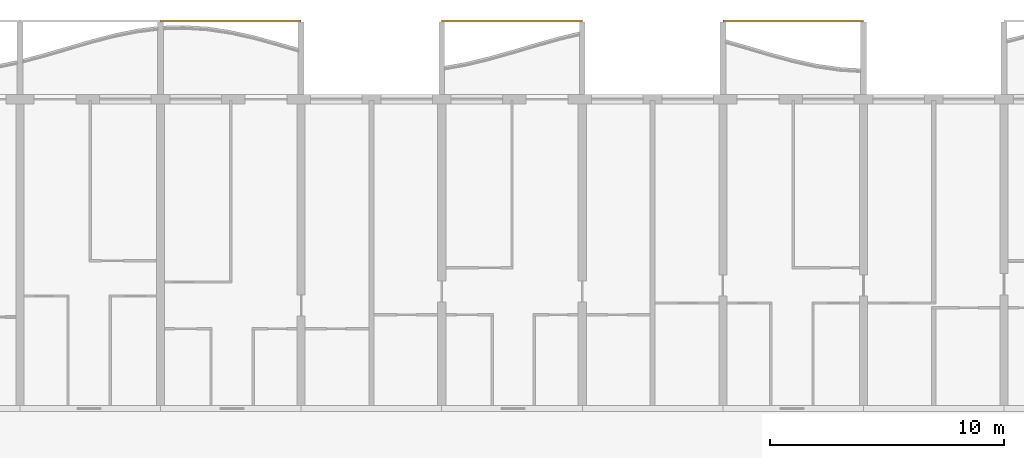
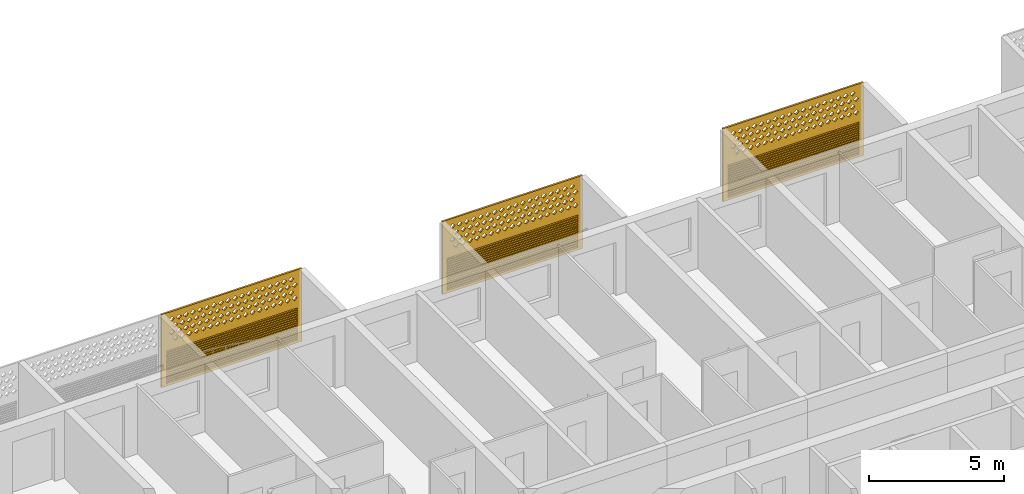
# One storey, part 22 of 25: 3 coverings.
"""IFC4 building model written with IfcOpenShell, lengths in metres."""

from ifc_helpers import new_model, si_unit, direction, frame, origin, place, context, subcontext, project, spatial, polyline, outline, extrude, source, transform, mapped, material, material_profile, profile_set, type_object, element, save


model = new_model("IFC4")

# Units and contexts
model_context = context("Model", 3, precision=1e-05, world=origin(), true_north=direction((0.0, 1.0)))
body_context = subcontext(model_context, "Body", "Model", "MODEL_VIEW")
ifc_project = project(units=[si_unit("LENGTHUNIT", "METRE"), si_unit("AREAUNIT", "SQUARE_METRE"), si_unit("VOLUMEUNIT", "CUBIC_METRE"), si_unit("PLANEANGLEUNIT", "RADIAN"), si_unit("MASSUNIT", "GRAM", prefix="KILO")], contexts=[model_context])

# Site, building, storey
site_placement = place(None, origin())
site = spatial("IfcSite", under=ifc_project, at=site_placement, CompositionType="ELEMENT")
building_placement = place(site_placement, origin())
building = spatial("IfcBuilding", under=site, at=building_placement, Name="Poui Terraces", CompositionType="ELEMENT")
storey_placement = place(building_placement, frame((0.0, 0.0, 89.39990234375)))
storey = spatial("IfcBuildingStorey", under=building, at=storey_placement, Name="L24", CompositionType="ELEMENT", Elevation=89.39990234375)

# Coverings
ifc_material = material(Name="Terracotta screen", Category="masonry")
ifc_material_profile = material_profile(ifc_material, outline(polyline([(-3.0, -1.64990234375), (3.0, -1.64990234375), (3.0, 1.64990234375), (-3.0, 1.64990234375), (-3.0, -1.64990234375)]), holes=[polyline([(-2.800048828125, 0.39990234375), (-2.68994140625, 0.2900390625), (-2.580078125, 0.39990234375), (-2.68994140625, 0.510009765625), (-2.800048828125, 0.39990234375)]), polyline([(-2.5, 0.39990234375), (-2.389892578125, 0.2900390625), (-2.280029296875, 0.39990234375), (-2.389892578125, 0.510009765625), (-2.5, 0.39990234375)]), polyline([(-2.199951171875, 0.39990234375), (-2.090087890625, 0.2900390625), (-1.97998046875, 0.39990234375), (-2.090087890625, 0.510009765625), (-2.199951171875, 0.39990234375)]), polyline([(-1.89990234375, 0.39990234375), (-1.7900390625, 0.2900390625), (-1.679931640625, 0.39990234375), (-1.7900390625, 0.510009765625), (-1.89990234375, 0.39990234375)]), polyline([(-1.60009765625, 0.39990234375), (-1.489990234375, 0.2900390625), (-1.3798828125, 0.39990234375), (-1.489990234375, 0.510009765625), (-1.60009765625, 0.39990234375)]), polyline([(-1.300048828125, 0.39990234375), (-1.18994140625, 0.2900390625), (-1.080078125, 0.39990234375), (-1.18994140625, 0.510009765625), (-1.300048828125, 0.39990234375)]), polyline([(-1.0, 0.39990234375), (-0.889892578125, 0.2900390625), (-0.780029296875, 0.39990234375), (-0.889892578125, 0.510009765625), (-1.0, 0.39990234375)]), polyline([(-0.699951171875, 0.39990234375), (-0.590087890625, 0.2900390625), (-0.47998046875, 0.39990234375), (-0.590087890625, 0.510009765625), (-0.699951171875, 0.39990234375)]), polyline([(-0.39990234375, 0.39990234375), (-0.2900390625, 0.2900390625), (-0.179931640625, 0.39990234375), (-0.2900390625, 0.510009765625), (-0.39990234375, 0.39990234375)]), polyline([(-0.10009765625, 0.39990234375), (0.010009765625, 0.2900390625), (0.1201171875, 0.39990234375), (0.010009765625, 0.510009765625), (-0.10009765625, 0.39990234375)]), polyline([(0.199951171875, 0.39990234375), (0.31005859375, 0.2900390625), (0.419921875, 0.39990234375), (0.31005859375, 0.510009765625), (0.199951171875, 0.39990234375)]), polyline([(0.5, 0.39990234375), (0.610107421875, 0.2900390625), (0.719970703125, 0.39990234375), (0.610107421875, 0.510009765625), (0.5, 0.39990234375)]), polyline([(0.800048828125, 0.39990234375), (0.909912109375, 0.2900390625), (1.02001953125, 0.39990234375), (0.909912109375, 0.510009765625), (0.800048828125, 0.39990234375)]), polyline([(1.10009765625, 0.39990234375), (1.2099609375, 0.2900390625), (1.320068359375, 0.39990234375), (1.2099609375, 0.510009765625), (1.10009765625, 0.39990234375)]), polyline([(1.39990234375, 0.39990234375), (1.510009765625, 0.2900390625), (1.6201171875, 0.39990234375), (1.510009765625, 0.510009765625), (1.39990234375, 0.39990234375)]), polyline([(1.699951171875, 0.39990234375), (1.81005859375, 0.2900390625), (1.919921875, 0.39990234375), (1.81005859375, 0.510009765625), (1.699951171875, 0.39990234375)]), polyline([(2.0, 0.39990234375), (2.110107421875, 0.2900390625), (2.219970703125, 0.39990234375), (2.110107421875, 0.510009765625), (2.0, 0.39990234375)]), polyline([(2.300048828125, 0.39990234375), (2.409912109375, 0.2900390625), (2.52001953125, 0.39990234375), (2.409912109375, 0.510009765625), (2.300048828125, 0.39990234375)]), polyline([(-2.64990234375, 0.699951171875), (-2.5400390625, 0.590087890625), (-2.429931640625, 0.699951171875), (-2.5400390625, 0.81005859375), (-2.64990234375, 0.699951171875)]), polyline([(-2.35009765625, 0.699951171875), (-2.239990234375, 0.590087890625), (-2.1298828125, 0.699951171875), (-2.239990234375, 0.81005859375), (-2.35009765625, 0.699951171875)]), polyline([(-2.050048828125, 0.699951171875), (-1.93994140625, 0.590087890625), (-1.830078125, 0.699951171875), (-1.93994140625, 0.81005859375), (-2.050048828125, 0.699951171875)]), polyline([(-1.75, 0.699951171875), (-1.639892578125, 0.590087890625), (-1.530029296875, 0.699951171875), (-1.639892578125, 0.81005859375), (-1.75, 0.699951171875)]), polyline([(-1.449951171875, 0.699951171875), (-1.340087890625, 0.590087890625), (-1.22998046875, 0.699951171875), (-1.340087890625, 0.81005859375), (-1.449951171875, 0.699951171875)]), polyline([(-1.14990234375, 0.699951171875), (-1.0400390625, 0.590087890625), (-0.929931640625, 0.699951171875), (-1.0400390625, 0.81005859375), (-1.14990234375, 0.699951171875)]), polyline([(-0.85009765625, 0.699951171875), (-0.739990234375, 0.590087890625), (-0.6298828125, 0.699951171875), (-0.739990234375, 0.81005859375), (-0.85009765625, 0.699951171875)]), polyline([(-0.550048828125, 0.699951171875), (-0.43994140625, 0.590087890625), (-0.330078125, 0.699951171875), (-0.43994140625, 0.81005859375), (-0.550048828125, 0.699951171875)]), polyline([(-0.25, 0.699951171875), (-0.139892578125, 0.590087890625), (-0.030029296875, 0.699951171875), (-0.139892578125, 0.81005859375), (-0.25, 0.699951171875)]), polyline([(0.050048828125, 0.699951171875), (0.159912109375, 0.590087890625), (0.27001953125, 0.699951171875), (0.159912109375, 0.81005859375), (0.050048828125, 0.699951171875)]), polyline([(0.35009765625, 0.699951171875), (0.4599609375, 0.590087890625), (0.570068359375, 0.699951171875), (0.4599609375, 0.81005859375), (0.35009765625, 0.699951171875)]), polyline([(0.64990234375, 0.699951171875), (0.760009765625, 0.590087890625), (0.8701171875, 0.699951171875), (0.760009765625, 0.81005859375), (0.64990234375, 0.699951171875)]), polyline([(0.949951171875, 0.699951171875), (1.06005859375, 0.590087890625), (1.169921875, 0.699951171875), (1.06005859375, 0.81005859375), (0.949951171875, 0.699951171875)]), polyline([(1.25, 0.699951171875), (1.360107421875, 0.590087890625), (1.469970703125, 0.699951171875), (1.360107421875, 0.81005859375), (1.25, 0.699951171875)]), polyline([(1.550048828125, 0.699951171875), (1.659912109375, 0.590087890625), (1.77001953125, 0.699951171875), (1.659912109375, 0.81005859375), (1.550048828125, 0.699951171875)]), polyline([(1.85009765625, 0.699951171875), (1.9599609375, 0.590087890625), (2.070068359375, 0.699951171875), (1.9599609375, 0.81005859375), (1.85009765625, 0.699951171875)]), polyline([(2.14990234375, 0.699951171875), (2.260009765625, 0.590087890625), (2.3701171875, 0.699951171875), (2.260009765625, 0.81005859375), (2.14990234375, 0.699951171875)]), polyline([(2.449951171875, 0.699951171875), (2.56005859375, 0.590087890625), (2.669921875, 0.699951171875), (2.56005859375, 0.81005859375), (2.449951171875, 0.699951171875)]), polyline([(-2.800048828125, 1.0), (-2.68994140625, 0.889892578125), (-2.580078125, 1.0), (-2.68994140625, 1.110107421875), (-2.800048828125, 1.0)]), polyline([(-2.5, 1.0), (-2.389892578125, 0.889892578125), (-2.280029296875, 1.0), (-2.389892578125, 1.110107421875), (-2.5, 1.0)]), polyline([(-2.199951171875, 1.0), (-2.090087890625, 0.889892578125), (-1.97998046875, 1.0), (-2.090087890625, 1.110107421875), (-2.199951171875, 1.0)]), polyline([(-1.89990234375, 1.0), (-1.7900390625, 0.889892578125), (-1.679931640625, 1.0), (-1.7900390625, 1.110107421875), (-1.89990234375, 1.0)]), polyline([(-1.60009765625, 1.0), (-1.489990234375, 0.889892578125), (-1.3798828125, 1.0), (-1.489990234375, 1.110107421875), (-1.60009765625, 1.0)]), polyline([(-1.300048828125, 1.0), (-1.18994140625, 0.889892578125), (-1.080078125, 1.0), (-1.18994140625, 1.110107421875), (-1.300048828125, 1.0)]), polyline([(-1.0, 1.0), (-0.889892578125, 0.889892578125), (-0.780029296875, 1.0), (-0.889892578125, 1.110107421875), (-1.0, 1.0)]), polyline([(-0.699951171875, 1.0), (-0.590087890625, 0.889892578125), (-0.47998046875, 1.0), (-0.590087890625, 1.110107421875), (-0.699951171875, 1.0)]), polyline([(-0.39990234375, 1.0), (-0.2900390625, 0.889892578125), (-0.179931640625, 1.0), (-0.2900390625, 1.110107421875), (-0.39990234375, 1.0)]), polyline([(-0.10009765625, 1.0), (0.010009765625, 0.889892578125), (0.1201171875, 1.0), (0.010009765625, 1.110107421875), (-0.10009765625, 1.0)]), polyline([(0.199951171875, 1.0), (0.31005859375, 0.889892578125), (0.419921875, 1.0), (0.31005859375, 1.110107421875), (0.199951171875, 1.0)]), polyline([(0.5, 1.0), (0.610107421875, 0.889892578125), (0.719970703125, 1.0), (0.610107421875, 1.110107421875), (0.5, 1.0)]), polyline([(0.800048828125, 1.0), (0.909912109375, 0.889892578125), (1.02001953125, 1.0), (0.909912109375, 1.110107421875), (0.800048828125, 1.0)]), polyline([(1.10009765625, 1.0), (1.2099609375, 0.889892578125), (1.320068359375, 1.0), (1.2099609375, 1.110107421875), (1.10009765625, 1.0)]), polyline([(1.39990234375, 1.0), (1.510009765625, 0.889892578125), (1.6201171875, 1.0), (1.510009765625, 1.110107421875), (1.39990234375, 1.0)]), polyline([(1.699951171875, 1.0), (1.81005859375, 0.889892578125), (1.919921875, 1.0), (1.81005859375, 1.110107421875), (1.699951171875, 1.0)]), polyline([(2.0, 1.0), (2.110107421875, 0.889892578125), (2.219970703125, 1.0), (2.110107421875, 1.110107421875), (2.0, 1.0)]), polyline([(2.300048828125, 1.0), (2.409912109375, 0.889892578125), (2.52001953125, 1.0), (2.409912109375, 1.110107421875), (2.300048828125, 1.0)]), polyline([(-2.64990234375, 1.300048828125), (-2.5400390625, 1.18994140625), (-2.429931640625, 1.300048828125), (-2.5400390625, 1.409912109375), (-2.64990234375, 1.300048828125)]), polyline([(-2.35009765625, 1.300048828125), (-2.239990234375, 1.18994140625), (-2.1298828125, 1.300048828125), (-2.239990234375, 1.409912109375), (-2.35009765625, 1.300048828125)]), polyline([(-2.050048828125, 1.300048828125), (-1.93994140625, 1.18994140625), (-1.830078125, 1.300048828125), (-1.93994140625, 1.409912109375), (-2.050048828125, 1.300048828125)]), polyline([(-1.75, 1.300048828125), (-1.639892578125, 1.18994140625), (-1.530029296875, 1.300048828125), (-1.639892578125, 1.409912109375), (-1.75, 1.300048828125)]), polyline([(-1.449951171875, 1.300048828125), (-1.340087890625, 1.18994140625), (-1.22998046875, 1.300048828125), (-1.340087890625, 1.409912109375), (-1.449951171875, 1.300048828125)]), polyline([(-1.14990234375, 1.300048828125), (-1.0400390625, 1.18994140625), (-0.929931640625, 1.300048828125), (-1.0400390625, 1.409912109375), (-1.14990234375, 1.300048828125)]), polyline([(-0.85009765625, 1.300048828125), (-0.739990234375, 1.18994140625), (-0.6298828125, 1.300048828125), (-0.739990234375, 1.409912109375), (-0.85009765625, 1.300048828125)]), polyline([(-0.550048828125, 1.300048828125), (-0.43994140625, 1.18994140625), (-0.330078125, 1.300048828125), (-0.43994140625, 1.409912109375), (-0.550048828125, 1.300048828125)]), polyline([(-0.25, 1.300048828125), (-0.139892578125, 1.18994140625), (-0.030029296875, 1.300048828125), (-0.139892578125, 1.409912109375), (-0.25, 1.300048828125)]), polyline([(0.050048828125, 1.300048828125), (0.159912109375, 1.18994140625), (0.27001953125, 1.300048828125), (0.159912109375, 1.409912109375), (0.050048828125, 1.300048828125)]), polyline([(0.35009765625, 1.300048828125), (0.4599609375, 1.18994140625), (0.570068359375, 1.300048828125), (0.4599609375, 1.409912109375), (0.35009765625, 1.300048828125)]), polyline([(0.64990234375, 1.300048828125), (0.760009765625, 1.18994140625), (0.8701171875, 1.300048828125), (0.760009765625, 1.409912109375), (0.64990234375, 1.300048828125)]), polyline([(0.949951171875, 1.300048828125), (1.06005859375, 1.18994140625), (1.169921875, 1.300048828125), (1.06005859375, 1.409912109375), (0.949951171875, 1.300048828125)]), polyline([(1.25, 1.300048828125), (1.360107421875, 1.18994140625), (1.469970703125, 1.300048828125), (1.360107421875, 1.409912109375), (1.25, 1.300048828125)]), polyline([(1.550048828125, 1.300048828125), (1.659912109375, 1.18994140625), (1.77001953125, 1.300048828125), (1.659912109375, 1.409912109375), (1.550048828125, 1.300048828125)]), polyline([(1.85009765625, 1.300048828125), (1.9599609375, 1.18994140625), (2.070068359375, 1.300048828125), (1.9599609375, 1.409912109375), (1.85009765625, 1.300048828125)]), polyline([(2.14990234375, 1.300048828125), (2.260009765625, 1.18994140625), (2.3701171875, 1.300048828125), (2.260009765625, 1.409912109375), (2.14990234375, 1.300048828125)]), polyline([(2.449951171875, 1.300048828125), (2.56005859375, 1.18994140625), (2.669921875, 1.300048828125), (2.56005859375, 1.409912109375), (2.449951171875, 1.300048828125)]), polyline([(-2.800048828125, -1.530029296875), (2.800048828125, -1.530029296875), (2.800048828125, -1.469970703125), (-2.800048828125, -1.469970703125), (-2.800048828125, -1.530029296875)]), polyline([(-2.800048828125, -1.429931640625), (2.800048828125, -1.429931640625), (2.800048828125, -1.3701171875), (-2.800048828125, -1.3701171875), (-2.800048828125, -1.429931640625)]), polyline([(-2.800048828125, -1.330078125), (2.800048828125, -1.330078125), (2.800048828125, -1.27001953125), (-2.800048828125, -1.27001953125), (-2.800048828125, -1.330078125)]), polyline([(-2.800048828125, -1.22998046875), (2.800048828125, -1.22998046875), (2.800048828125, -1.169921875), (-2.800048828125, -1.169921875), (-2.800048828125, -1.22998046875)]), polyline([(-2.800048828125, -1.1298828125), (2.800048828125, -1.1298828125), (2.800048828125, -1.070068359375), (-2.800048828125, -1.070068359375), (-2.800048828125, -1.1298828125)]), polyline([(-2.800048828125, -1.030029296875), (2.800048828125, -1.030029296875), (2.800048828125, -0.969970703125), (-2.800048828125, -0.969970703125), (-2.800048828125, -1.030029296875)]), polyline([(-2.800048828125, -0.929931640625), (2.800048828125, -0.929931640625), (2.800048828125, -0.8701171875), (-2.800048828125, -0.8701171875), (-2.800048828125, -0.929931640625)]), polyline([(-2.800048828125, -0.830078125), (2.800048828125, -0.830078125), (2.800048828125, -0.77001953125), (-2.800048828125, -0.77001953125), (-2.800048828125, -0.830078125)]), polyline([(-2.800048828125, -0.72998046875), (2.800048828125, -0.72998046875), (2.800048828125, -0.669921875), (-2.800048828125, -0.669921875), (-2.800048828125, -0.72998046875)]), polyline([(-2.800048828125, -0.6298828125), (2.800048828125, -0.6298828125), (2.800048828125, -0.570068359375), (-2.800048828125, -0.570068359375), (-2.800048828125, -0.6298828125)]), polyline([(-2.800048828125, -0.530029296875), (2.800048828125, -0.530029296875), (2.800048828125, -0.469970703125), (-2.800048828125, -0.469970703125), (-2.800048828125, -0.530029296875)]), polyline([(-2.800048828125, -0.429931640625), (2.800048828125, -0.429931640625), (2.800048828125, -0.3701171875), (-2.800048828125, -0.3701171875), (-2.800048828125, -0.429931640625)]), polyline([(-2.800048828125, -0.330078125), (2.800048828125, -0.330078125), (2.800048828125, -0.27001953125), (-2.800048828125, -0.27001953125), (-2.800048828125, -0.330078125)]), polyline([(-2.800048828125, -0.22998046875), (2.800048828125, -0.22998046875), (2.800048828125, -0.169921875), (-2.800048828125, -0.169921875), (-2.800048828125, -0.22998046875)]), polyline([(-2.800048828125, -0.1298828125), (2.800048828125, -0.1298828125), (2.800048828125, -0.070068359375), (-2.800048828125, -0.070068359375), (-2.800048828125, -0.1298828125)])]), Name="TERRACOTTA SCREEN AND JALOUSIE LOUVRE 6000X3300")
ifc_profile_set = profile_set([ifc_material_profile], Name="Terracotta screen")
covering_type = type_object("IfcCoveringType", Name="TERRACOTTA SCREEN AND JALOUSIE LOUVRE 6000X3300", PredefinedType="CLADDING", material=ifc_profile_set)
shared_shape = source(origin(), body_context, "Body", "SweptSolid", [
    extrude(outline(polyline([(-3.0, -1.64990234375), (3.0, -1.64990234375), (3.0, 1.64990234375), (-3.0, 1.64990234375), (-3.0, -1.64990234375)]), holes=[polyline([(-2.800048828125, 0.39990234375), (-2.68994140625, 0.2900390625), (-2.580078125, 0.39990234375), (-2.68994140625, 0.510009765625), (-2.800048828125, 0.39990234375)]), polyline([(-2.5, 0.39990234375), (-2.389892578125, 0.2900390625), (-2.280029296875, 0.39990234375), (-2.389892578125, 0.510009765625), (-2.5, 0.39990234375)]), polyline([(-2.199951171875, 0.39990234375), (-2.090087890625, 0.2900390625), (-1.97998046875, 0.39990234375), (-2.090087890625, 0.510009765625), (-2.199951171875, 0.39990234375)]), polyline([(-1.89990234375, 0.39990234375), (-1.7900390625, 0.2900390625), (-1.679931640625, 0.39990234375), (-1.7900390625, 0.510009765625), (-1.89990234375, 0.39990234375)]), polyline([(-1.60009765625, 0.39990234375), (-1.489990234375, 0.2900390625), (-1.3798828125, 0.39990234375), (-1.489990234375, 0.510009765625), (-1.60009765625, 0.39990234375)]), polyline([(-1.300048828125, 0.39990234375), (-1.18994140625, 0.2900390625), (-1.080078125, 0.39990234375), (-1.18994140625, 0.510009765625), (-1.300048828125, 0.39990234375)]), polyline([(-1.0, 0.39990234375), (-0.889892578125, 0.2900390625), (-0.780029296875, 0.39990234375), (-0.889892578125, 0.510009765625), (-1.0, 0.39990234375)]), polyline([(-0.699951171875, 0.39990234375), (-0.590087890625, 0.2900390625), (-0.47998046875, 0.39990234375), (-0.590087890625, 0.510009765625), (-0.699951171875, 0.39990234375)]), polyline([(-0.39990234375, 0.39990234375), (-0.2900390625, 0.2900390625), (-0.179931640625, 0.39990234375), (-0.2900390625, 0.510009765625), (-0.39990234375, 0.39990234375)]), polyline([(-0.10009765625, 0.39990234375), (0.010009765625, 0.2900390625), (0.1201171875, 0.39990234375), (0.010009765625, 0.510009765625), (-0.10009765625, 0.39990234375)]), polyline([(0.199951171875, 0.39990234375), (0.31005859375, 0.2900390625), (0.419921875, 0.39990234375), (0.31005859375, 0.510009765625), (0.199951171875, 0.39990234375)]), polyline([(0.5, 0.39990234375), (0.610107421875, 0.2900390625), (0.719970703125, 0.39990234375), (0.610107421875, 0.510009765625), (0.5, 0.39990234375)]), polyline([(0.800048828125, 0.39990234375), (0.909912109375, 0.2900390625), (1.02001953125, 0.39990234375), (0.909912109375, 0.510009765625), (0.800048828125, 0.39990234375)]), polyline([(1.10009765625, 0.39990234375), (1.2099609375, 0.2900390625), (1.320068359375, 0.39990234375), (1.2099609375, 0.510009765625), (1.10009765625, 0.39990234375)]), polyline([(1.39990234375, 0.39990234375), (1.510009765625, 0.2900390625), (1.6201171875, 0.39990234375), (1.510009765625, 0.510009765625), (1.39990234375, 0.39990234375)]), polyline([(1.699951171875, 0.39990234375), (1.81005859375, 0.2900390625), (1.919921875, 0.39990234375), (1.81005859375, 0.510009765625), (1.699951171875, 0.39990234375)]), polyline([(2.0, 0.39990234375), (2.110107421875, 0.2900390625), (2.219970703125, 0.39990234375), (2.110107421875, 0.510009765625), (2.0, 0.39990234375)]), polyline([(2.300048828125, 0.39990234375), (2.409912109375, 0.2900390625), (2.52001953125, 0.39990234375), (2.409912109375, 0.510009765625), (2.300048828125, 0.39990234375)]), polyline([(-2.64990234375, 0.699951171875), (-2.5400390625, 0.590087890625), (-2.429931640625, 0.699951171875), (-2.5400390625, 0.81005859375), (-2.64990234375, 0.699951171875)]), polyline([(-2.35009765625, 0.699951171875), (-2.239990234375, 0.590087890625), (-2.1298828125, 0.699951171875), (-2.239990234375, 0.81005859375), (-2.35009765625, 0.699951171875)]), polyline([(-2.050048828125, 0.699951171875), (-1.93994140625, 0.590087890625), (-1.830078125, 0.699951171875), (-1.93994140625, 0.81005859375), (-2.050048828125, 0.699951171875)]), polyline([(-1.75, 0.699951171875), (-1.639892578125, 0.590087890625), (-1.530029296875, 0.699951171875), (-1.639892578125, 0.81005859375), (-1.75, 0.699951171875)]), polyline([(-1.449951171875, 0.699951171875), (-1.340087890625, 0.590087890625), (-1.22998046875, 0.699951171875), (-1.340087890625, 0.81005859375), (-1.449951171875, 0.699951171875)]), polyline([(-1.14990234375, 0.699951171875), (-1.0400390625, 0.590087890625), (-0.929931640625, 0.699951171875), (-1.0400390625, 0.81005859375), (-1.14990234375, 0.699951171875)]), polyline([(-0.85009765625, 0.699951171875), (-0.739990234375, 0.590087890625), (-0.6298828125, 0.699951171875), (-0.739990234375, 0.81005859375), (-0.85009765625, 0.699951171875)]), polyline([(-0.550048828125, 0.699951171875), (-0.43994140625, 0.590087890625), (-0.330078125, 0.699951171875), (-0.43994140625, 0.81005859375), (-0.550048828125, 0.699951171875)]), polyline([(-0.25, 0.699951171875), (-0.139892578125, 0.590087890625), (-0.030029296875, 0.699951171875), (-0.139892578125, 0.81005859375), (-0.25, 0.699951171875)]), polyline([(0.050048828125, 0.699951171875), (0.159912109375, 0.590087890625), (0.27001953125, 0.699951171875), (0.159912109375, 0.81005859375), (0.050048828125, 0.699951171875)]), polyline([(0.35009765625, 0.699951171875), (0.4599609375, 0.590087890625), (0.570068359375, 0.699951171875), (0.4599609375, 0.81005859375), (0.35009765625, 0.699951171875)]), polyline([(0.64990234375, 0.699951171875), (0.760009765625, 0.590087890625), (0.8701171875, 0.699951171875), (0.760009765625, 0.81005859375), (0.64990234375, 0.699951171875)]), polyline([(0.949951171875, 0.699951171875), (1.06005859375, 0.590087890625), (1.169921875, 0.699951171875), (1.06005859375, 0.81005859375), (0.949951171875, 0.699951171875)]), polyline([(1.25, 0.699951171875), (1.360107421875, 0.590087890625), (1.469970703125, 0.699951171875), (1.360107421875, 0.81005859375), (1.25, 0.699951171875)]), polyline([(1.550048828125, 0.699951171875), (1.659912109375, 0.590087890625), (1.77001953125, 0.699951171875), (1.659912109375, 0.81005859375), (1.550048828125, 0.699951171875)]), polyline([(1.85009765625, 0.699951171875), (1.9599609375, 0.590087890625), (2.070068359375, 0.699951171875), (1.9599609375, 0.81005859375), (1.85009765625, 0.699951171875)]), polyline([(2.14990234375, 0.699951171875), (2.260009765625, 0.590087890625), (2.3701171875, 0.699951171875), (2.260009765625, 0.81005859375), (2.14990234375, 0.699951171875)]), polyline([(2.449951171875, 0.699951171875), (2.56005859375, 0.590087890625), (2.669921875, 0.699951171875), (2.56005859375, 0.81005859375), (2.449951171875, 0.699951171875)]), polyline([(-2.800048828125, 1.0), (-2.68994140625, 0.889892578125), (-2.580078125, 1.0), (-2.68994140625, 1.110107421875), (-2.800048828125, 1.0)]), polyline([(-2.5, 1.0), (-2.389892578125, 0.889892578125), (-2.280029296875, 1.0), (-2.389892578125, 1.110107421875), (-2.5, 1.0)]), polyline([(-2.199951171875, 1.0), (-2.090087890625, 0.889892578125), (-1.97998046875, 1.0), (-2.090087890625, 1.110107421875), (-2.199951171875, 1.0)]), polyline([(-1.89990234375, 1.0), (-1.7900390625, 0.889892578125), (-1.679931640625, 1.0), (-1.7900390625, 1.110107421875), (-1.89990234375, 1.0)]), polyline([(-1.60009765625, 1.0), (-1.489990234375, 0.889892578125), (-1.3798828125, 1.0), (-1.489990234375, 1.110107421875), (-1.60009765625, 1.0)]), polyline([(-1.300048828125, 1.0), (-1.18994140625, 0.889892578125), (-1.080078125, 1.0), (-1.18994140625, 1.110107421875), (-1.300048828125, 1.0)]), polyline([(-1.0, 1.0), (-0.889892578125, 0.889892578125), (-0.780029296875, 1.0), (-0.889892578125, 1.110107421875), (-1.0, 1.0)]), polyline([(-0.699951171875, 1.0), (-0.590087890625, 0.889892578125), (-0.47998046875, 1.0), (-0.590087890625, 1.110107421875), (-0.699951171875, 1.0)]), polyline([(-0.39990234375, 1.0), (-0.2900390625, 0.889892578125), (-0.179931640625, 1.0), (-0.2900390625, 1.110107421875), (-0.39990234375, 1.0)]), polyline([(-0.10009765625, 1.0), (0.010009765625, 0.889892578125), (0.1201171875, 1.0), (0.010009765625, 1.110107421875), (-0.10009765625, 1.0)]), polyline([(0.199951171875, 1.0), (0.31005859375, 0.889892578125), (0.419921875, 1.0), (0.31005859375, 1.110107421875), (0.199951171875, 1.0)]), polyline([(0.5, 1.0), (0.610107421875, 0.889892578125), (0.719970703125, 1.0), (0.610107421875, 1.110107421875), (0.5, 1.0)]), polyline([(0.800048828125, 1.0), (0.909912109375, 0.889892578125), (1.02001953125, 1.0), (0.909912109375, 1.110107421875), (0.800048828125, 1.0)]), polyline([(1.10009765625, 1.0), (1.2099609375, 0.889892578125), (1.320068359375, 1.0), (1.2099609375, 1.110107421875), (1.10009765625, 1.0)]), polyline([(1.39990234375, 1.0), (1.510009765625, 0.889892578125), (1.6201171875, 1.0), (1.510009765625, 1.110107421875), (1.39990234375, 1.0)]), polyline([(1.699951171875, 1.0), (1.81005859375, 0.889892578125), (1.919921875, 1.0), (1.81005859375, 1.110107421875), (1.699951171875, 1.0)]), polyline([(2.0, 1.0), (2.110107421875, 0.889892578125), (2.219970703125, 1.0), (2.110107421875, 1.110107421875), (2.0, 1.0)]), polyline([(2.300048828125, 1.0), (2.409912109375, 0.889892578125), (2.52001953125, 1.0), (2.409912109375, 1.110107421875), (2.300048828125, 1.0)]), polyline([(-2.64990234375, 1.300048828125), (-2.5400390625, 1.18994140625), (-2.429931640625, 1.300048828125), (-2.5400390625, 1.409912109375), (-2.64990234375, 1.300048828125)]), polyline([(-2.35009765625, 1.300048828125), (-2.239990234375, 1.18994140625), (-2.1298828125, 1.300048828125), (-2.239990234375, 1.409912109375), (-2.35009765625, 1.300048828125)]), polyline([(-2.050048828125, 1.300048828125), (-1.93994140625, 1.18994140625), (-1.830078125, 1.300048828125), (-1.93994140625, 1.409912109375), (-2.050048828125, 1.300048828125)]), polyline([(-1.75, 1.300048828125), (-1.639892578125, 1.18994140625), (-1.530029296875, 1.300048828125), (-1.639892578125, 1.409912109375), (-1.75, 1.300048828125)]), polyline([(-1.449951171875, 1.300048828125), (-1.340087890625, 1.18994140625), (-1.22998046875, 1.300048828125), (-1.340087890625, 1.409912109375), (-1.449951171875, 1.300048828125)]), polyline([(-1.14990234375, 1.300048828125), (-1.0400390625, 1.18994140625), (-0.929931640625, 1.300048828125), (-1.0400390625, 1.409912109375), (-1.14990234375, 1.300048828125)]), polyline([(-0.85009765625, 1.300048828125), (-0.739990234375, 1.18994140625), (-0.6298828125, 1.300048828125), (-0.739990234375, 1.409912109375), (-0.85009765625, 1.300048828125)]), polyline([(-0.550048828125, 1.300048828125), (-0.43994140625, 1.18994140625), (-0.330078125, 1.300048828125), (-0.43994140625, 1.409912109375), (-0.550048828125, 1.300048828125)]), polyline([(-0.25, 1.300048828125), (-0.139892578125, 1.18994140625), (-0.030029296875, 1.300048828125), (-0.139892578125, 1.409912109375), (-0.25, 1.300048828125)]), polyline([(0.050048828125, 1.300048828125), (0.159912109375, 1.18994140625), (0.27001953125, 1.300048828125), (0.159912109375, 1.409912109375), (0.050048828125, 1.300048828125)]), polyline([(0.35009765625, 1.300048828125), (0.4599609375, 1.18994140625), (0.570068359375, 1.300048828125), (0.4599609375, 1.409912109375), (0.35009765625, 1.300048828125)]), polyline([(0.64990234375, 1.300048828125), (0.760009765625, 1.18994140625), (0.8701171875, 1.300048828125), (0.760009765625, 1.409912109375), (0.64990234375, 1.300048828125)]), polyline([(0.949951171875, 1.300048828125), (1.06005859375, 1.18994140625), (1.169921875, 1.300048828125), (1.06005859375, 1.409912109375), (0.949951171875, 1.300048828125)]), polyline([(1.25, 1.300048828125), (1.360107421875, 1.18994140625), (1.469970703125, 1.300048828125), (1.360107421875, 1.409912109375), (1.25, 1.300048828125)]), polyline([(1.550048828125, 1.300048828125), (1.659912109375, 1.18994140625), (1.77001953125, 1.300048828125), (1.659912109375, 1.409912109375), (1.550048828125, 1.300048828125)]), polyline([(1.85009765625, 1.300048828125), (1.9599609375, 1.18994140625), (2.070068359375, 1.300048828125), (1.9599609375, 1.409912109375), (1.85009765625, 1.300048828125)]), polyline([(2.14990234375, 1.300048828125), (2.260009765625, 1.18994140625), (2.3701171875, 1.300048828125), (2.260009765625, 1.409912109375), (2.14990234375, 1.300048828125)]), polyline([(2.449951171875, 1.300048828125), (2.56005859375, 1.18994140625), (2.669921875, 1.300048828125), (2.56005859375, 1.409912109375), (2.449951171875, 1.300048828125)]), polyline([(-2.800048828125, -1.530029296875), (2.800048828125, -1.530029296875), (2.800048828125, -1.469970703125), (-2.800048828125, -1.469970703125), (-2.800048828125, -1.530029296875)]), polyline([(-2.800048828125, -1.429931640625), (2.800048828125, -1.429931640625), (2.800048828125, -1.3701171875), (-2.800048828125, -1.3701171875), (-2.800048828125, -1.429931640625)]), polyline([(-2.800048828125, -1.330078125), (2.800048828125, -1.330078125), (2.800048828125, -1.27001953125), (-2.800048828125, -1.27001953125), (-2.800048828125, -1.330078125)]), polyline([(-2.800048828125, -1.22998046875), (2.800048828125, -1.22998046875), (2.800048828125, -1.169921875), (-2.800048828125, -1.169921875), (-2.800048828125, -1.22998046875)]), polyline([(-2.800048828125, -1.1298828125), (2.800048828125, -1.1298828125), (2.800048828125, -1.070068359375), (-2.800048828125, -1.070068359375), (-2.800048828125, -1.1298828125)]), polyline([(-2.800048828125, -1.030029296875), (2.800048828125, -1.030029296875), (2.800048828125, -0.969970703125), (-2.800048828125, -0.969970703125), (-2.800048828125, -1.030029296875)]), polyline([(-2.800048828125, -0.929931640625), (2.800048828125, -0.929931640625), (2.800048828125, -0.8701171875), (-2.800048828125, -0.8701171875), (-2.800048828125, -0.929931640625)]), polyline([(-2.800048828125, -0.830078125), (2.800048828125, -0.830078125), (2.800048828125, -0.77001953125), (-2.800048828125, -0.77001953125), (-2.800048828125, -0.830078125)]), polyline([(-2.800048828125, -0.72998046875), (2.800048828125, -0.72998046875), (2.800048828125, -0.669921875), (-2.800048828125, -0.669921875), (-2.800048828125, -0.72998046875)]), polyline([(-2.800048828125, -0.6298828125), (2.800048828125, -0.6298828125), (2.800048828125, -0.570068359375), (-2.800048828125, -0.570068359375), (-2.800048828125, -0.6298828125)]), polyline([(-2.800048828125, -0.530029296875), (2.800048828125, -0.530029296875), (2.800048828125, -0.469970703125), (-2.800048828125, -0.469970703125), (-2.800048828125, -0.530029296875)]), polyline([(-2.800048828125, -0.429931640625), (2.800048828125, -0.429931640625), (2.800048828125, -0.3701171875), (-2.800048828125, -0.3701171875), (-2.800048828125, -0.429931640625)]), polyline([(-2.800048828125, -0.330078125), (2.800048828125, -0.330078125), (2.800048828125, -0.27001953125), (-2.800048828125, -0.27001953125), (-2.800048828125, -0.330078125)]), polyline([(-2.800048828125, -0.22998046875), (2.800048828125, -0.22998046875), (2.800048828125, -0.169921875), (-2.800048828125, -0.169921875), (-2.800048828125, -0.22998046875)]), polyline([(-2.800048828125, -0.1298828125), (2.800048828125, -0.1298828125), (2.800048828125, -0.070068359375), (-2.800048828125, -0.070068359375), (-2.800048828125, -0.1298828125)])]), origin(), (0.0, 0.0, 1.0), 0.080078125),
])
for number, where, z_axis, x_axis, name in (
    (1, (39.0, 46.89990234375, 1.4501953125), (0.0, 1.0, 0.0), (-1.0, 0.0, 0.0), "SOLAR SCREEN AND JALOUSIE LOUVRE"),
    (2, (51.0, 46.89990234375, 1.4501953125), (0.0, 1.0, 0.0), (-1.0, 0.0, 0.0), "SOLAR SCREEN AND JALOUSIE LOUVRE"),
    (3, (63.0, 46.89990234375, 1.4501953125), (0.0, 1.0, 0.0), (-1.0, 0.0, 0.0), "SOLAR SCREEN AND JALOUSIE LOUVRE"),
):
    element("IfcCovering", number, at=place(storey_placement, frame(where, z_axis=z_axis, x_axis=x_axis)), inside=storey, type_object=covering_type, Name=name, PredefinedType="CLADDING", context=body_context, shape_type="MappedRepresentation", body=[
        mapped(shared_shape, transform((0.0, 0.0, 0.0))),
    ])

save(model, "model.ifc")
